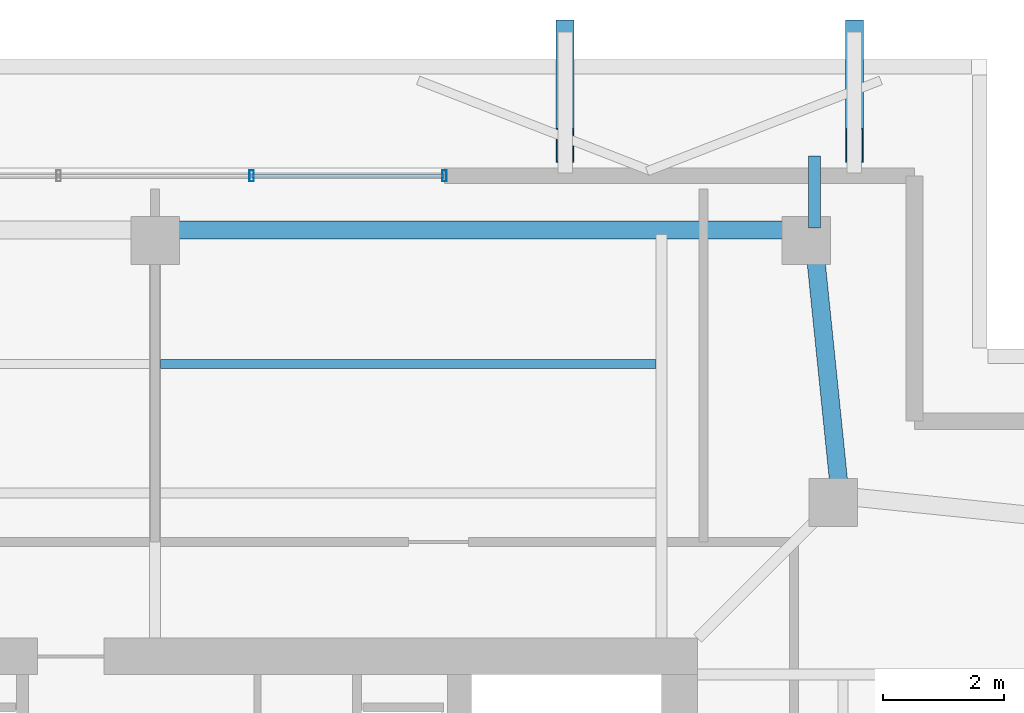
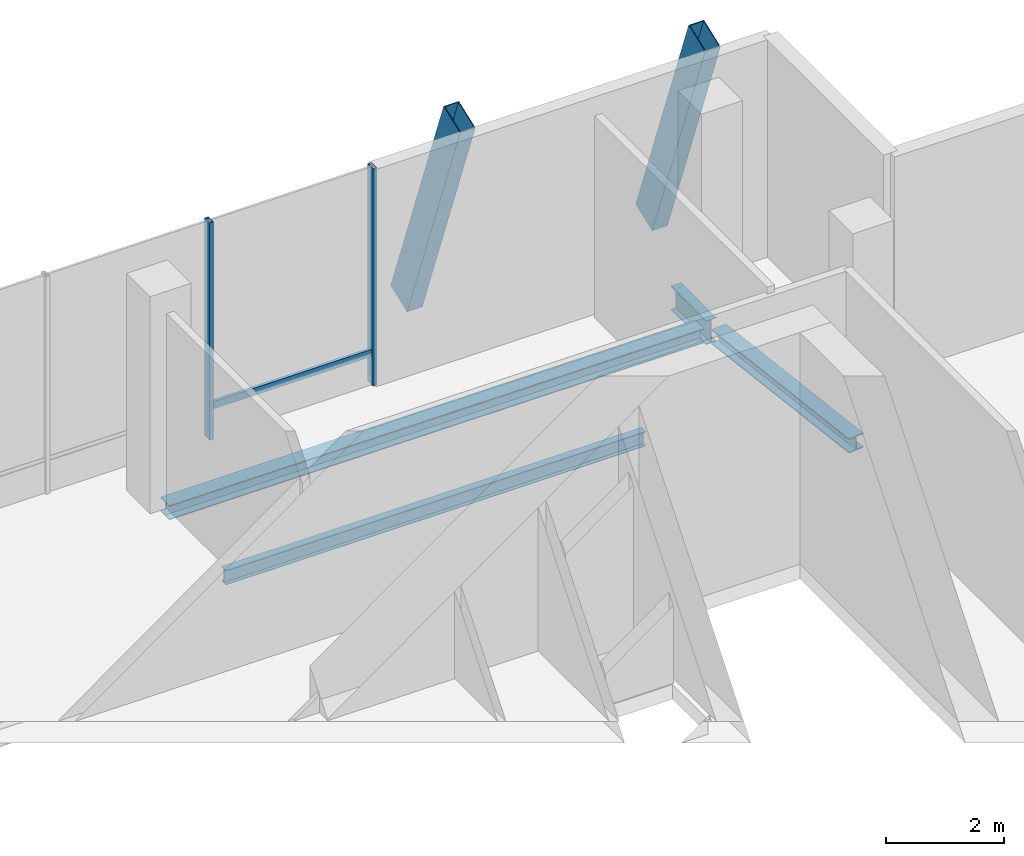
# One storey, part 11 of 15: 5 members, 4 beams, 1 element without a shape of its own.
"""IFC4 building model written with IfcOpenShell, lengths in metres."""

from ifc_helpers import new_model, si_unit, direction, frame, origin, origin_2d, place, context, subcontext, project, spatial, hollow_rectangle, i_section, extrude, material, layer, layer_set, material_profile, profile_set, type_object, element, aggregate, save


model = new_model("IFC4")

# Units and contexts
model_context = context("Model", 3, precision=1e-05, world=origin(), true_north=direction((0.0, 1.0)))
body_context = subcontext(model_context, "Body", "Model", "MODEL_VIEW")
ifc_project = project(units=[si_unit("LENGTHUNIT", "METRE"), si_unit("AREAUNIT", "SQUARE_METRE"), si_unit("VOLUMEUNIT", "CUBIC_METRE"), si_unit("PLANEANGLEUNIT", "RADIAN"), si_unit("MASSUNIT", "GRAM", prefix="KILO")], contexts=[model_context])

# Site, building, storey
site_placement = place(None, origin())
site = spatial("IfcSite", under=ifc_project, at=site_placement, CompositionType="ELEMENT")
building_placement = place(site_placement, origin())
building = spatial("IfcBuilding", under=site, at=building_placement, Name="Belovzor Exchange Tower", CompositionType="ELEMENT")
storey_placement = place(building_placement, frame((0.0, 0.0, 373.800048828125)))
storey = spatial("IfcBuildingStorey", under=building, at=storey_placement, Name="L93", CompositionType="ELEMENT", Elevation=373.800048828125)

# Beams
ifc_material_1 = material(Name="Steel S355", Category="steel")
ifc_material_profile_1 = material_profile(ifc_material_1, i_section(OverallWidth=0.300048828125, OverallDepth=0.300048828125, WebThickness=0.010986328125, FlangeThickness=0.01904296875, at=origin_2d()))
ifc_profile_set_1 = profile_set([ifc_material_profile_1], Name="Steel S355")
beam_type_1 = type_object("IfcBeamType", Name="Crown Plant Primary Beam HEB 300", PredefinedType="BEAM", material=ifc_profile_set_1)
beam_1_placement = place(storey_placement, frame((40.139892578125, 40.381103515625, -0.449951171875), z_axis=(-0.101763348742, 0.994808635293, 0.0), x_axis=(-0.994808635293, -0.101763348742, 0.0)))
element("IfcBeam", 1, at=beam_1_placement, inside=storey, type_object=beam_type_1, Name="FG-CR Crown Plant Primary Beam HEB 300", PredefinedType="BEAM", context=body_context, shape_type="SweptSolid", body=[
    extrude(i_section(OverallWidth=0.300048828125, OverallDepth=0.300048828125, WebThickness=0.010986328125, FlangeThickness=0.01904296875, at=origin_2d()), origin(), (0.0, 0.0, 1.0), 3.98974609375),
])
beam_2_placement = place(storey_placement, frame((39.491943359375, 44.569091796875, -0.449951171875), z_axis=(-1.0, 0.0, 0.0), x_axis=(0.0, -1.0, 0.0)))
element("IfcBeam", 2, at=beam_2_placement, inside=storey, type_object=beam_type_1, Name="FG-CR Crown Plant Primary Beam HEB 300", PredefinedType="BEAM", context=body_context, shape_type="SweptSolid", body=[
    extrude(i_section(OverallWidth=0.300048828125, OverallDepth=0.300048828125, WebThickness=0.010986328125, FlangeThickness=0.01904296875, at=origin_2d()), origin(), (0.0, 0.0, 1.0), 10.471923828125),
])
ifc_material_2 = material(Name="Steel S355", Category="steel")
ifc_material_profile_2 = material_profile(ifc_material_2, i_section(OverallWidth=0.199951171875, OverallDepth=0.5, WebThickness=0.01025390625, FlangeThickness=0.01611328125, at=origin_2d()))
ifc_profile_set_2 = profile_set([ifc_material_profile_2], Name="Steel S355")
beam_type_2 = type_object("IfcBeamType", Name="Planted Balcony Cantilever Beam IPE 500", PredefinedType="BEAM", material=ifc_profile_set_2)
beam_3_placement = place(storey_placement, frame((39.738037109375, 44.60595703125, -0.550048828125), z_axis=(0.0, 1.0, 0.0), x_axis=(-1.0, 0.0, 0.0)))
element("IfcBeam", 3, at=beam_3_placement, inside=storey, type_object=beam_type_2, Name="BC-500 Planted Balcony Cantilever Beam IPE 500", PredefinedType="BEAM", context=body_context, shape_type="SweptSolid", body=[
    extrude(i_section(OverallWidth=0.199951171875, OverallDepth=0.5, WebThickness=0.01025390625, FlangeThickness=0.01611328125, at=origin_2d()), origin(), (0.0, 0.0, 1.0), 1.194091796875),
])
ifc_material_3 = material(Name="Steel S355", Category="steel")
ifc_material_profile_3 = material_profile(ifc_material_3, i_section(OverallWidth=0.14990234375, OverallDepth=0.300048828125, WebThickness=0.007080078125, FlangeThickness=0.0107421875, at=origin_2d()))
ifc_profile_set_3 = profile_set([ifc_material_profile_3], Name="Steel S355")
beam_type_3 = type_object("IfcBeamType", Name="Secondary Trim Floor Joist IPE 300", PredefinedType="BEAM", material=ifc_profile_set_3)
beam_4_placement = place(storey_placement, frame((28.889892578125, 42.35205078125, -0.449951171875), z_axis=(1.0, 0.0, 0.0), x_axis=(0.0, 1.0, 0.0)))
element("IfcBeam", 4, at=beam_4_placement, inside=storey, type_object=beam_type_3, Name="FJ-300 Secondary Trim Floor Joist IPE 300", PredefinedType="BEAM", context=body_context, shape_type="SweptSolid", body=[
    extrude(i_section(OverallWidth=0.14990234375, OverallDepth=0.300048828125, WebThickness=0.007080078125, FlangeThickness=0.0107421875, at=origin_2d()), origin(), (0.0, 0.0, 1.0), 8.22021484375),
])

# Curtain wall, members
ifc_material_4 = material(Name="Anodised Aluminium Framing", Category="aluminium")
ifc_layer = layer(ifc_material_4, 0.169921875)
ifc_layer_set = layer_set([ifc_layer], Name="Anodised Aluminium Framing")
curtain_wall_type = type_object("IfcCurtainWallType", Name="Stepped Crown Faceted Lantern Curtain Wall", PredefinedType="NOTDEFINED", material=ifc_layer_set)
curtain_wall_placement = place(storey_placement, origin())
curtain_wall = element("IfcCurtainWall", 5, at=curtain_wall_placement, inside=storey, type_object=curtain_wall_type, Name="CW6 Stepped Crown Faceted Lantern Curtain Wall L93", PredefinedType="NOTDEFINED")
ifc_material_5 = material(Name="Steel S355", Category="steel")
ifc_material_profile_4 = material_profile(ifc_material_5, hollow_rectangle(XDim=0.074951171875, YDim=0.179931640625, WallThickness=0.0048828125, at=origin_2d()))
ifc_profile_set_4 = profile_set([ifc_material_profile_4], Name="Steel S355")
member_type_1 = type_object("IfcMemberType", Name="Thermally Broken Curtain Wall Mullion 180x75", PredefinedType="MULLION", material=ifc_profile_set_4)
member_1_placement = place(storey_placement, frame((30.39990234375, 45.469970703125, 0.0), z_axis=(0.0, 0.0, 1.0), x_axis=(1.0, 0.0, 0.0)))
member_1 = element("IfcMember", 6, at=member_1_placement, type_object=member_type_1, Name="CW-M180 Curtain Wall Mullion 3", PredefinedType="MULLION", context=body_context, shape_type="SweptSolid", body=[
    extrude(hollow_rectangle(XDim=0.074951171875, YDim=0.179931640625, WallThickness=0.0048828125, at=origin_2d()), origin(), (0.0, 0.0, 1.0), 4.5),
])
member_2_placement = place(storey_placement, frame((33.60009765625, 45.469970703125, 0.0), z_axis=(0.0, 0.0, 1.0), x_axis=(1.0, 0.0, 0.0)))
member_2 = element("IfcMember", 7, at=member_2_placement, type_object=member_type_1, Name="CW-M180 Curtain Wall Mullion 4", PredefinedType="MULLION", context=body_context, shape_type="SweptSolid", body=[
    extrude(hollow_rectangle(XDim=0.074951171875, YDim=0.179931640625, WallThickness=0.0048828125, at=origin_2d()), origin(), (0.0, 0.0, 1.0), 4.5),
])
ifc_material_6 = material(Name="Steel S355", Category="steel")
ifc_material_profile_5 = material_profile(ifc_material_6, hollow_rectangle(XDim=0.06005859375, YDim=0.14990234375, WallThickness=0.00390625, at=origin_2d()))
ifc_profile_set_5 = profile_set([ifc_material_profile_5], Name="Steel S355")
member_type_2 = type_object("IfcMemberType", Name="Thermally Broken Curtain Wall Transom 150x60", PredefinedType="USERDEFINED", material=ifc_profile_set_5)
member_3_placement = place(storey_placement, frame((30.407958984375, 45.469970703125, 0.64990234375), z_axis=(1.0, 0.0, 0.0), x_axis=(0.0, 1.0, 0.0)))
member_3 = element("IfcMember", 8, at=member_3_placement, type_object=member_type_2, Name="CW-T150 Curtain Wall Transom 3", ObjectType="TRANSOM", PredefinedType="USERDEFINED", context=body_context, shape_type="SweptSolid", body=[
    extrude(hollow_rectangle(XDim=0.06005859375, YDim=0.14990234375, WallThickness=0.00390625, at=origin_2d()), origin(), (0.0, 0.0, 1.0), 3.18408203125),
])
aggregate(curtain_wall, [member_1, member_2, member_3])

# Members
ifc_material_7 = material(Name="Extruded Architectural Terracotta on Steel S355 Carrier", Category="masonry")
ifc_material_profile_6 = material_profile(ifc_material_7, hollow_rectangle(XDim=0.300048828125, YDim=0.60009765625, WallThickness=0.01611328125, at=origin_2d()))
ifc_profile_set_6 = profile_set([ifc_material_profile_6], Name="Extruded Architectural Terracotta on Steel S355 Carrier")
member_type_3 = type_object("IfcMemberType", Name="Upper Crown Terracotta Fin Assembly 550", PredefinedType="USERDEFINED", material=ifc_profile_set_6)
for number, where, z_axis, x_axis, name in (
    (9, (35.60009765625, 47.77490234375, -0.300048828125), (0.0, -0.351086907552, 0.93634287702), (1.0, 0.0, 0.0), "FIN-TC055 Terracotta Facade Fin L93 N3"),
    (10, (40.39990234375, 47.77490234375, -0.300048828125), (0.0, -0.351086907552, 0.93634287702), (1.0, 0.0, 0.0), "FIN-TC055 Terracotta Facade Fin L93 N4"),
):
    element("IfcMember", number, at=place(storey_placement, frame(where, z_axis=z_axis, x_axis=x_axis)), inside=storey, type_object=member_type_3, Name=name, ObjectType="FIN", PredefinedType="USERDEFINED", context=body_context, shape_type="SweptSolid", body=[
        extrude(hollow_rectangle(XDim=0.300048828125, YDim=0.60009765625, WallThickness=0.01611328125, at=origin_2d()), origin(), (0.0, 0.0, 1.0), 5.12646484375),
    ])

save(model, "model.ifc")
